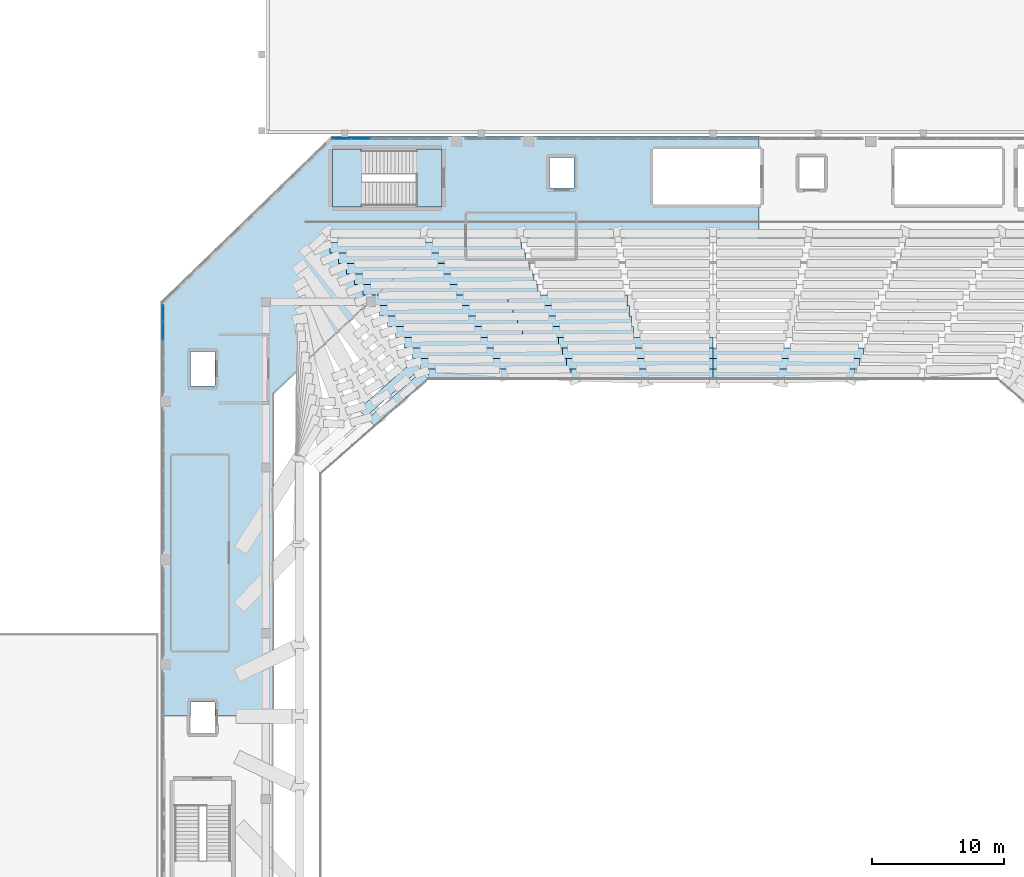
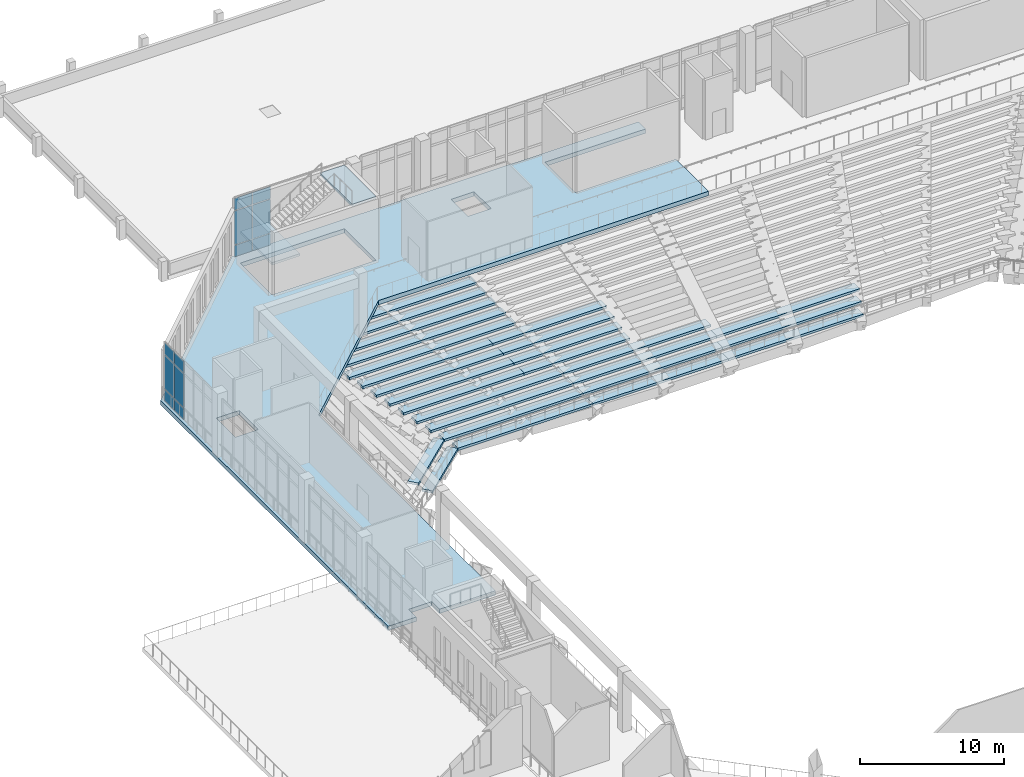
# One storey, part 37 of 55: 29 slabs, 12 plates, 3 elements without a shape of their own.
"""IFC4 building model written with IfcOpenShell, lengths in metres."""

from ifc_helpers import new_model, si_unit, derived_unit, direction, frame, origin, origin_2d, place, context, subcontext, project, spatial, polyline, rectangle, outline, extrude, material, layer, layer_set, type_object, element, aggregate, save


model = new_model("IFC4")

# Units and contexts
model_context = context("Model", 3, precision=1e-05, world=origin(), true_north=direction((0.0, 1.0)))
body_context = subcontext(model_context, "Body", "Model", "MODEL_VIEW")
ifc_project = project(units=[si_unit("LENGTHUNIT", "METRE"), si_unit("AREAUNIT", "SQUARE_METRE"), si_unit("VOLUMEUNIT", "CUBIC_METRE"), si_unit("PLANEANGLEUNIT", "RADIAN"), si_unit("MASSUNIT", "GRAM", prefix="KILO"), derived_unit("THERMALTRANSMITTANCEUNIT", [(si_unit("MASSUNIT", "GRAM", prefix="KILO"), 1), (si_unit("TIMEUNIT", "SECOND"), -3), (si_unit("THERMODYNAMICTEMPERATUREUNIT", "KELVIN"), -1)])], contexts=[model_context])

# Site, building, storey
site_placement = place(None, origin())
site = spatial("IfcSite", under=ifc_project, at=site_placement, CompositionType="ELEMENT")
building_placement = place(site_placement, origin())
building = spatial("IfcBuilding", under=site, at=building_placement, Name="Valcora Ridge Arena", CompositionType="ELEMENT")
storey_placement = place(building_placement, frame((0.0, 0.0, 21.0)))
storey = spatial("IfcBuildingStorey", under=building, at=storey_placement, Name="L04", CompositionType="ELEMENT", Elevation=21.0)

# Stair, slabs
ifc_material_1 = material(Name="Concrete C40/50", Category="concrete")
stair_type = type_object("IfcStairType", Name="TY-STAIR-ST03-54", PredefinedType="HALF_TURN_STAIR", material=ifc_material_1)
stair_placement = place(storey_placement, origin())
stair = element("IfcStair", 1, at=stair_placement, inside=storey, type_object=stair_type, Name="ST03-54 STR-CR-0017", PredefinedType="HALF_TURN_STAIR")
ifc_layer_1 = layer(ifc_material_1, 0.199951171875, Name="Concrete C40/50")
ifc_layer_set_1 = layer_set([ifc_layer_1], Name="Concrete C40/50")
slab_type_1 = type_object("IfcSlabType", Name="TY-LAND-ST03-54", PredefinedType="LANDING", material=ifc_layer_set_1)
slab_1_placement = place(storey_placement, frame((0.0, 0.0, 2.5)))
slab_1 = element("IfcSlab", 2, at=slab_1_placement, type_object=slab_type_1, Name="ST03-54 landing 1", PredefinedType="LANDING", context=body_context, shape_type="SweptSolid", body=[
    extrude(outline(polyline([(29.08203125, 102.802001953125), (31.31005859375, 102.802001953125), (31.31005859375, 107.197998046875), (29.08203125, 107.197998046875), (29.08203125, 102.802001953125)])), origin(), (0.0, 0.0, 1.0), 0.199951171875),
])
slab_2_placement = place(storey_placement, frame((0.0, 0.0, 5.199951171875)))
slab_2 = element("IfcSlab", 3, at=slab_2_placement, type_object=slab_type_1, Name="ST03-54 landing 2", PredefinedType="LANDING", context=body_context, shape_type="SweptSolid", body=[
    extrude(outline(polyline([(35.469970703125, 102.802001953125), (37.39794921875, 102.802001953125), (37.39794921875, 107.197998046875), (35.469970703125, 107.197998046875), (35.469970703125, 102.802001953125)])), origin(), (0.0, 0.0, 1.0), 0.199951171875),
])
aggregate(stair, [slab_1, slab_2])

# Curtain wall, plates
ifc_material_2 = material(Name="Anodised dark bronze architectural aluminium 6063-T6", Category="aluminium")
ifc_layer_2 = layer(ifc_material_2, 0.179931640625, Name="Anodised dark bronze architectural aluminium 6063-T6")
ifc_layer_set_2 = layer_set([ifc_layer_2], Name="Anodised dark bronze architectural aluminium 6063-T6")
curtain_wall_type_1 = type_object("IfcCurtainWallType", Name="TY-CURTAINWALL-CW-V1-GOTH-068X51", PredefinedType="NOTDEFINED", material=ifc_layer_set_2)
curtain_wall_1_placement = place(storey_placement, origin())
curtain_wall_1 = element("IfcCurtainWall", 4, at=curtain_wall_1_placement, inside=storey, type_object=curtain_wall_type_1, Name="CW-V1-GOTH-068X51 CW-0152", PredefinedType="NOTDEFINED")
ifc_material_3 = material(Name="Low-iron solar-control double glazing SHGC 0.28", Category="glass")
ifc_layer_3 = layer(ifc_material_3, 0.031982421875, Name="Low-iron solar-control double glazing SHGC 0.28")
ifc_layer_set_3 = layer_set([ifc_layer_3], Name="Low-iron solar-control double glazing SHGC 0.28")
plate_type_1 = type_object("IfcPlateType", Name="TY-PLT-CWP-1262X0960", PredefinedType="CURTAIN_PANEL", material=ifc_layer_set_3)
plate_1_placement = place(storey_placement, frame((16.199951171875, 94.708984375, 0.06005859375), z_axis=(0.0, 0.0, 1.0), x_axis=(0.0, 1.0, 0.0)))
plate_1 = element("IfcPlate", 5, at=plate_1_placement, type_object=plate_type_1, Name="CW-0152/P04-00", PredefinedType="CURTAIN_PANEL", context=body_context, shape_type="SweptSolid", body=[
    extrude(rectangle(XDim=1.261962890625, YDim=0.031982421875, at=origin_2d()), origin(), (0.0, 0.0, 1.0), 0.9599609375),
])
ifc_layer_4 = layer(ifc_material_3, 0.031982421875, Name="Low-iron solar-control double glazing SHGC 0.28")
ifc_layer_set_4 = layer_set([ifc_layer_4], Name="Low-iron solar-control double glazing SHGC 0.28")
plate_type_2 = type_object("IfcPlateType", Name="TY-PLT-CWP-1262X1010", PredefinedType="CURTAIN_PANEL", material=ifc_layer_set_4)
plate_2_placement = place(storey_placement, frame((16.199951171875, 94.708984375, 3.990234375), z_axis=(0.0, 0.0, 1.0), x_axis=(0.0, 1.0, 0.0)))
plate_2 = element("IfcPlate", 6, at=plate_2_placement, type_object=plate_type_2, Name="CW-0152/P04-02", PredefinedType="CURTAIN_PANEL", context=body_context, shape_type="SweptSolid", body=[
    extrude(rectangle(XDim=1.261962890625, YDim=0.031982421875, at=origin_2d()), origin(), (0.0, 0.0, 1.0), 1.010009765625),
])
ifc_layer_5 = layer(ifc_material_3, 0.031982421875, Name="Low-iron solar-control double glazing SHGC 0.28")
ifc_layer_set_5 = layer_set([ifc_layer_5], Name="Low-iron solar-control double glazing SHGC 0.28")
plate_type_3 = type_object("IfcPlateType", Name="TY-PLT-CWP-1262X2850", PredefinedType="CURTAIN_PANEL", material=ifc_layer_set_5)
plate_3_placement = place(storey_placement, frame((16.199951171875, 94.708984375, 1.079833984375), z_axis=(0.0, 0.0, 1.0), x_axis=(0.0, 1.0, 0.0)))
plate_3 = element("IfcPlate", 7, at=plate_3_placement, type_object=plate_type_3, Name="CW-0152/P04-01", PredefinedType="CURTAIN_PANEL", context=body_context, shape_type="SweptSolid", body=[
    extrude(rectangle(XDim=1.261962890625, YDim=0.031982421875, at=origin_2d()), origin(), (0.0, 0.0, 1.0), 2.85009765625),
])
ifc_layer_6 = layer(ifc_material_3, 0.031982421875, Name="Low-iron solar-control double glazing SHGC 0.28")
ifc_layer_set_6 = layer_set([ifc_layer_6], Name="Low-iron solar-control double glazing SHGC 0.28")
plate_type_4 = type_object("IfcPlateType", Name="TY-PLT-CWP-1292X0960", PredefinedType="CURTAIN_PANEL", material=ifc_layer_set_6)
plate_4_placement = place(storey_placement, frame((16.199951171875, 93.3720703125, 0.06005859375), z_axis=(0.0, 0.0, 1.0), x_axis=(0.0, 1.0, 0.0)))
plate_4 = element("IfcPlate", 8, at=plate_4_placement, type_object=plate_type_4, Name="CW-0152/P03-00", PredefinedType="CURTAIN_PANEL", context=body_context, shape_type="SweptSolid", body=[
    extrude(rectangle(XDim=1.2919921875, YDim=0.031982421875, at=origin_2d()), origin(), (0.0, 0.0, 1.0), 0.9599609375),
])
ifc_layer_7 = layer(ifc_material_3, 0.031982421875, Name="Low-iron solar-control double glazing SHGC 0.28")
ifc_layer_set_7 = layer_set([ifc_layer_7], Name="Low-iron solar-control double glazing SHGC 0.28")
plate_type_5 = type_object("IfcPlateType", Name="TY-PLT-CWP-1292X1010", PredefinedType="CURTAIN_PANEL", material=ifc_layer_set_7)
plate_5_placement = place(storey_placement, frame((16.199951171875, 93.3720703125, 3.990234375), z_axis=(0.0, 0.0, 1.0), x_axis=(0.0, 1.0, 0.0)))
plate_5 = element("IfcPlate", 9, at=plate_5_placement, type_object=plate_type_5, Name="CW-0152/P03-02", PredefinedType="CURTAIN_PANEL", context=body_context, shape_type="SweptSolid", body=[
    extrude(rectangle(XDim=1.2919921875, YDim=0.031982421875, at=origin_2d()), origin(), (0.0, 0.0, 1.0), 1.010009765625),
])
ifc_layer_8 = layer(ifc_material_3, 0.031982421875, Name="Low-iron solar-control double glazing SHGC 0.28")
ifc_layer_set_8 = layer_set([ifc_layer_8], Name="Low-iron solar-control double glazing SHGC 0.28")
plate_type_6 = type_object("IfcPlateType", Name="TY-PLT-CWP-1292X2850", PredefinedType="CURTAIN_PANEL", material=ifc_layer_set_8)
plate_6_placement = place(storey_placement, frame((16.199951171875, 93.3720703125, 1.079833984375), z_axis=(0.0, 0.0, 1.0), x_axis=(0.0, 1.0, 0.0)))
plate_6 = element("IfcPlate", 10, at=plate_6_placement, type_object=plate_type_6, Name="CW-0152/P03-01", PredefinedType="CURTAIN_PANEL", context=body_context, shape_type="SweptSolid", body=[
    extrude(rectangle(XDim=1.2919921875, YDim=0.031982421875, at=origin_2d()), origin(), (0.0, 0.0, 1.0), 2.85009765625),
])
aggregate(curtain_wall_1, [plate_4, plate_6, plate_5, plate_1, plate_3, plate_2])

ifc_layer_9 = layer(ifc_material_2, 0.179931640625, Name="Anodised dark bronze architectural aluminium 6063-T6")
ifc_layer_set_9 = layer_set([ifc_layer_9], Name="Anodised dark bronze architectural aluminium 6063-T6")
curtain_wall_type_2 = type_object("IfcCurtainWallType", Name="TY-CURTAINWALL-CW-V1-GOTH-089X51", PredefinedType="NOTDEFINED", material=ifc_layer_set_9)
curtain_wall_2_placement = place(storey_placement, origin())
curtain_wall_2 = element("IfcCurtainWall", 11, at=curtain_wall_2_placement, inside=storey, type_object=curtain_wall_type_2, Name="CW-V1-GOTH-089X51 CW-0157", PredefinedType="NOTDEFINED")
ifc_layer_10 = layer(ifc_material_3, 0.031982421875, Name="Low-iron solar-control double glazing SHGC 0.28")
ifc_layer_set_10 = layer_set([ifc_layer_10], Name="Low-iron solar-control double glazing SHGC 0.28")
plate_type_7 = type_object("IfcPlateType", Name="TY-PLT-CWP-1387X0960", PredefinedType="CURTAIN_PANEL", material=ifc_layer_set_10)
plate_7_placement = place(storey_placement, frame((29.75341796875, 108.0, 0.06005859375), z_axis=(0.0, 0.0, 1.0), x_axis=(1.0, 0.0, 0.0)))
plate_7 = element("IfcPlate", 12, at=plate_7_placement, type_object=plate_type_7, Name="CW-0157/P00-00", PredefinedType="CURTAIN_PANEL", context=body_context, shape_type="SweptSolid", body=[
    extrude(rectangle(XDim=1.386962890625, YDim=0.031982421875, at=origin_2d()), origin(), (0.0, 0.0, 1.0), 0.9599609375),
])
ifc_layer_11 = layer(ifc_material_3, 0.031982421875, Name="Low-iron solar-control double glazing SHGC 0.28")
ifc_layer_set_11 = layer_set([ifc_layer_11], Name="Low-iron solar-control double glazing SHGC 0.28")
plate_type_8 = type_object("IfcPlateType", Name="TY-PLT-CWP-1387X1010", PredefinedType="CURTAIN_PANEL", material=ifc_layer_set_11)
plate_8_placement = place(storey_placement, frame((29.75341796875, 108.0, 3.990234375), z_axis=(0.0, 0.0, 1.0), x_axis=(1.0, 0.0, 0.0)))
plate_8 = element("IfcPlate", 13, at=plate_8_placement, type_object=plate_type_8, Name="CW-0157/P00-02", PredefinedType="CURTAIN_PANEL", context=body_context, shape_type="SweptSolid", body=[
    extrude(rectangle(XDim=1.386962890625, YDim=0.031982421875, at=origin_2d()), origin(), (0.0, 0.0, 1.0), 1.010009765625),
])
ifc_layer_12 = layer(ifc_material_3, 0.031982421875, Name="Low-iron solar-control double glazing SHGC 0.28")
ifc_layer_set_12 = layer_set([ifc_layer_12], Name="Low-iron solar-control double glazing SHGC 0.28")
plate_type_9 = type_object("IfcPlateType", Name="TY-PLT-CWP-1387X2850", PredefinedType="CURTAIN_PANEL", material=ifc_layer_set_12)
plate_9_placement = place(storey_placement, frame((29.75341796875, 108.0, 1.079833984375), z_axis=(0.0, 0.0, 1.0), x_axis=(1.0, 0.0, 0.0)))
plate_9 = element("IfcPlate", 14, at=plate_9_placement, type_object=plate_type_9, Name="CW-0157/P00-01", PredefinedType="CURTAIN_PANEL", context=body_context, shape_type="SweptSolid", body=[
    extrude(rectangle(XDim=1.386962890625, YDim=0.031982421875, at=origin_2d()), origin(), (0.0, 0.0, 1.0), 2.85009765625),
])
ifc_layer_13 = layer(ifc_material_3, 0.031982421875, Name="Low-iron solar-control double glazing SHGC 0.28")
ifc_layer_set_13 = layer_set([ifc_layer_13], Name="Low-iron solar-control double glazing SHGC 0.28")
plate_type_10 = type_object("IfcPlateType", Name="TY-PLT-CWP-1416X0960", PredefinedType="CURTAIN_PANEL", material=ifc_layer_set_13)
plate_10_placement = place(storey_placement, frame((31.215087890625, 108.0, 0.06005859375), z_axis=(0.0, 0.0, 1.0), x_axis=(1.0, 0.0, 0.0)))
plate_10 = element("IfcPlate", 15, at=plate_10_placement, type_object=plate_type_10, Name="CW-0157/P01-00", PredefinedType="CURTAIN_PANEL", context=body_context, shape_type="SweptSolid", body=[
    extrude(rectangle(XDim=1.416015625, YDim=0.031982421875, at=origin_2d()), origin(), (0.0, 0.0, 1.0), 0.9599609375),
])
ifc_layer_14 = layer(ifc_material_3, 0.031982421875, Name="Low-iron solar-control double glazing SHGC 0.28")
ifc_layer_set_14 = layer_set([ifc_layer_14], Name="Low-iron solar-control double glazing SHGC 0.28")
plate_type_11 = type_object("IfcPlateType", Name="TY-PLT-CWP-1416X1010", PredefinedType="CURTAIN_PANEL", material=ifc_layer_set_14)
plate_11_placement = place(storey_placement, frame((31.215087890625, 108.0, 3.990234375), z_axis=(0.0, 0.0, 1.0), x_axis=(1.0, 0.0, 0.0)))
plate_11 = element("IfcPlate", 16, at=plate_11_placement, type_object=plate_type_11, Name="CW-0157/P01-02", PredefinedType="CURTAIN_PANEL", context=body_context, shape_type="SweptSolid", body=[
    extrude(rectangle(XDim=1.416015625, YDim=0.031982421875, at=origin_2d()), origin(), (0.0, 0.0, 1.0), 1.010009765625),
])
ifc_layer_15 = layer(ifc_material_3, 0.031982421875, Name="Low-iron solar-control double glazing SHGC 0.28")
ifc_layer_set_15 = layer_set([ifc_layer_15], Name="Low-iron solar-control double glazing SHGC 0.28")
plate_type_12 = type_object("IfcPlateType", Name="TY-PLT-CWP-1416X2850", PredefinedType="CURTAIN_PANEL", material=ifc_layer_set_15)
plate_12_placement = place(storey_placement, frame((31.215087890625, 108.0, 1.079833984375), z_axis=(0.0, 0.0, 1.0), x_axis=(1.0, 0.0, 0.0)))
plate_12 = element("IfcPlate", 17, at=plate_12_placement, type_object=plate_type_12, Name="CW-0157/P01-01", PredefinedType="CURTAIN_PANEL", context=body_context, shape_type="SweptSolid", body=[
    extrude(rectangle(XDim=1.416015625, YDim=0.031982421875, at=origin_2d()), origin(), (0.0, 0.0, 1.0), 2.85009765625),
])
aggregate(curtain_wall_2, [plate_7, plate_9, plate_8, plate_10, plate_12, plate_11])

# Slabs
ifc_layer_16 = layer(ifc_material_1, 0.360107421875, Name="Concrete C40/50")
ifc_layer_set_16 = layer_set([ifc_layer_16], Name="Concrete C40/50")
slab_type_2 = type_object("IfcSlabType", Name="TY-SLAB-SL-UPPR-360-NW", PredefinedType="FLOOR", material=ifc_layer_set_16)
slab_3_placement = place(storey_placement, frame((0.0, 0.0, -0.360107421875)))
element("IfcSlab", 18, at=slab_3_placement, inside=storey, type_object=slab_type_2, Name="SL-UPPR-360-NW SLB-0047", PredefinedType="FLOOR", context=body_context, shape_type="SweptSolid", body=[
    extrude(outline(polyline([(16.0, 95.60009765625), (16.0, 64.10009765625), (18.280029296875, 64.10009765625), (18.280029296875, 65.169921875), (20.1201171875, 65.169921875), (20.1201171875, 64.10009765625), (24.60009765625, 64.10009765625), (24.60009765625, 88.60009765625), (35.10009765625, 98.5), (61.5, 98.5), (61.5, 103.0), (53.43994140625, 103.0), (53.43994140625, 107.199951171875), (61.5, 107.199951171875), (61.5, 108.199951171875), (29.0, 108.199951171875), (16.0, 95.60009765625)]), holes=[polyline([(37.39990234375, 102.800048828125), (37.39990234375, 107.199951171875), (29.080078125, 107.199951171875), (29.080078125, 102.800048828125), (37.39990234375, 102.800048828125)]), polyline([(18.280029296875, 91.820068359375), (18.280029296875, 89.179931640625), (20.1201171875, 89.179931640625), (20.1201171875, 91.820068359375), (18.280029296875, 91.820068359375)]), polyline([(45.580078125, 106.570068359375), (45.580078125, 104.22998046875), (47.419921875, 104.22998046875), (47.419921875, 106.570068359375), (45.580078125, 106.570068359375)])]), origin(), (0.0, 0.0, 1.0), 0.360107421875),
])
ifc_material_4 = material(Name="Precast concrete C45/55", Category="concrete")
ifc_layer_17 = layer(ifc_material_4, 0.199951171875, Name="Precast concrete C45/55")
ifc_layer_set_17 = layer_set([ifc_layer_17], Name="Precast concrete C45/55")
slab_type_3 = type_object("IfcSlabType", Name="TY-SLAB-ST-UPP-L054", PredefinedType="USERDEFINED", material=ifc_layer_set_17)
slab_4_placement = place(storey_placement, frame((0.0, 0.0, -7.800048828125)))
element("IfcSlab", 19, at=slab_4_placement, inside=storey, type_object=slab_type_3, Name="ST-UPP-L054 SLB-TR-0489", ObjectType="SEATING TIER", PredefinedType="USERDEFINED", context=body_context, shape_type="SweptSolid", body=[
    extrude(outline(polyline([(36.3759765625, 89.699951171875), (32.2880859375, 86.112060546875), (31.76025390625, 86.71337890625), (35.848388671875, 90.30126953125), (36.3759765625, 89.699951171875)])), origin(), (0.0, 0.0, 1.0), 0.199951171875),
])
ifc_layer_18 = layer(ifc_material_4, 0.199951171875, Name="Precast concrete C45/55")
ifc_layer_set_18 = layer_set([ifc_layer_18], Name="Precast concrete C45/55")
slab_type_4 = type_object("IfcSlabType", Name="TY-SLAB-ST-UPP-L056", PredefinedType="USERDEFINED", material=ifc_layer_set_18)
slab_5_placement = place(storey_placement, frame((0.0, 0.0, -7.320068359375)))
element("IfcSlab", 20, at=slab_5_placement, inside=storey, type_object=slab_type_4, Name="ST-UPP-L056 SLB-TR-0501", ObjectType="SEATING TIER", PredefinedType="USERDEFINED", context=body_context, shape_type="SweptSolid", body=[
    extrude(outline(polyline([(35.751953125, 90.5), (31.575927734375, 86.823974609375), (31.04736328125, 87.424560546875), (35.223388671875, 91.1005859375), (35.751953125, 90.5)])), origin(), (0.0, 0.0, 1.0), 0.199951171875),
])
ifc_layer_19 = layer(ifc_material_4, 0.199951171875, Name="Precast concrete C45/55")
ifc_layer_set_19 = layer_set([ifc_layer_19], Name="Precast concrete C45/55")
slab_type_5 = type_object("IfcSlabType", Name="TY-SLAB-ST-UPP-L084", PredefinedType="USERDEFINED", material=ifc_layer_set_19)
slab_6_placement = place(storey_placement, frame((0.0, 0.0, -5.8798828125)))
element("IfcSlab", 21, at=slab_6_placement, inside=storey, type_object=slab_type_5, Name="ST-UPP-L084 SLB-TR-0527", ObjectType="SEATING TIER", PredefinedType="USERDEFINED", context=body_context, shape_type="SweptSolid", body=[
    extrude(outline(polyline([(51.969970703125, 92.89990234375), (43.528076171875, 92.89990234375), (43.528076171875, 93.699951171875), (51.969970703125, 93.699951171875), (51.969970703125, 92.89990234375)])), origin(), (0.0, 0.0, 1.0), 0.199951171875),
])
ifc_layer_20 = layer(ifc_material_4, 0.199951171875, Name="Precast concrete C45/55")
ifc_layer_set_20 = layer_set([ifc_layer_20], Name="Precast concrete C45/55")
slab_type_6 = type_object("IfcSlabType", Name="TY-SLAB-ST-UPP-L087", PredefinedType="USERDEFINED", material=ifc_layer_set_20)
slab_7_placement = place(storey_placement, frame((0.0, 0.0, -5.39990234375)))
element("IfcSlab", 22, at=slab_7_placement, inside=storey, type_object=slab_type_6, Name="ST-UPP-L087 SLB-TR-0535", ObjectType="SEATING TIER", PredefinedType="USERDEFINED", context=body_context, shape_type="SweptSolid", body=[
    extrude(outline(polyline([(51.81396484375, 93.699951171875), (43.153564453125, 93.699951171875), (43.153564453125, 94.5), (51.81396484375, 94.5), (51.81396484375, 93.699951171875)])), origin(), (0.0, 0.0, 1.0), 0.199951171875),
])
ifc_layer_21 = layer(ifc_material_4, 0.199951171875, Name="Precast concrete C45/55")
ifc_layer_set_21 = layer_set([ifc_layer_21], Name="Precast concrete C45/55")
slab_type_7 = type_object("IfcSlabType", Name="TY-SLAB-ST-UPP-L089", PredefinedType="USERDEFINED", material=ifc_layer_set_21)
slab_8_placement = place(storey_placement, frame((0.0, 0.0, -4.919921875)))
element("IfcSlab", 23, at=slab_8_placement, inside=storey, type_object=slab_type_7, Name="ST-UPP-L089 SLB-TR-0543", ObjectType="SEATING TIER", PredefinedType="USERDEFINED", context=body_context, shape_type="SweptSolid", body=[
    extrude(outline(polyline([(51.657958984375, 94.5), (42.779296875, 94.5), (42.779296875, 95.300048828125), (51.657958984375, 95.300048828125), (51.657958984375, 94.5)])), origin(), (0.0, 0.0, 1.0), 0.199951171875),
])
ifc_layer_22 = layer(ifc_material_4, 0.199951171875, Name="Precast concrete C45/55")
ifc_layer_set_22 = layer_set([ifc_layer_22], Name="Precast concrete C45/55")
slab_type_8 = type_object("IfcSlabType", Name="TY-SLAB-ST-UPP-L091", PredefinedType="USERDEFINED", material=ifc_layer_set_22)
slab_9_placement = place(storey_placement, frame((0.0, 0.0, -4.43994140625)))
element("IfcSlab", 24, at=slab_9_placement, inside=storey, type_object=slab_type_8, Name="ST-UPP-L091 SLB-TR-0551", ObjectType="SEATING TIER", PredefinedType="USERDEFINED", context=body_context, shape_type="SweptSolid", body=[
    extrude(outline(polyline([(51.501953125, 95.300048828125), (42.40478515625, 95.300048828125), (42.40478515625, 96.10009765625), (51.501953125, 96.10009765625), (51.501953125, 95.300048828125)])), origin(), (0.0, 0.0, 1.0), 0.199951171875),
])
ifc_layer_23 = layer(ifc_material_4, 0.199951171875, Name="Precast concrete C45/55")
ifc_layer_set_23 = layer_set([ifc_layer_23], Name="Precast concrete C45/55")
slab_type_9 = type_object("IfcSlabType", Name="TY-SLAB-ST-UPP-L096", PredefinedType="USERDEFINED", material=ifc_layer_set_23)
slab_10_placement = place(storey_placement, frame((0.0, 0.0, -5.8798828125)))
element("IfcSlab", 25, at=slab_10_placement, inside=storey, type_object=slab_type_9, Name="ST-UPP-L096 SLB-TR-0528", ObjectType="SEATING TIER", PredefinedType="USERDEFINED", context=body_context, shape_type="SweptSolid", body=[
    extrude(outline(polyline([(43.528076171875, 92.89990234375), (33.8798828125, 92.89990234375), (33.8798828125, 93.699951171875), (43.528076171875, 93.699951171875), (43.528076171875, 92.89990234375)])), origin(), (0.0, 0.0, 1.0), 0.199951171875),
])
ifc_layer_24 = layer(ifc_material_4, 0.199951171875, Name="Precast concrete C45/55")
ifc_layer_set_24 = layer_set([ifc_layer_24], Name="Precast concrete C45/55")
slab_type_10 = type_object("IfcSlabType", Name="TY-SLAB-ST-UPP-L099", PredefinedType="USERDEFINED", material=ifc_layer_set_24)
slab_11_placement = place(storey_placement, frame((0.0, 0.0, -5.39990234375)))
element("IfcSlab", 26, at=slab_11_placement, inside=storey, type_object=slab_type_10, Name="ST-UPP-L099 SLB-TR-0536", ObjectType="SEATING TIER", PredefinedType="USERDEFINED", context=body_context, shape_type="SweptSolid", body=[
    extrude(outline(polyline([(43.153564453125, 93.699951171875), (33.256103515625, 93.699951171875), (33.256103515625, 94.5), (43.153564453125, 94.5), (43.153564453125, 93.699951171875)])), origin(), (0.0, 0.0, 1.0), 0.199951171875),
])
ifc_layer_25 = layer(ifc_material_4, 0.199951171875, Name="Precast concrete C45/55")
ifc_layer_set_25 = layer_set([ifc_layer_25], Name="Precast concrete C45/55")
slab_type_11 = type_object("IfcSlabType", Name="TY-SLAB-ST-UPP-L101", PredefinedType="USERDEFINED", material=ifc_layer_set_25)
slab_12_placement = place(storey_placement, frame((0.0, 0.0, -4.919921875)))
element("IfcSlab", 27, at=slab_12_placement, inside=storey, type_object=slab_type_11, Name="ST-UPP-L101 SLB-TR-0544", ObjectType="SEATING TIER", PredefinedType="USERDEFINED", context=body_context, shape_type="SweptSolid", body=[
    extrude(outline(polyline([(42.779296875, 94.5), (32.632080078125, 94.5), (32.632080078125, 95.300048828125), (42.779296875, 95.300048828125), (42.779296875, 94.5)])), origin(), (0.0, 0.0, 1.0), 0.199951171875),
])
ifc_layer_26 = layer(ifc_material_4, 0.199951171875, Name="Precast concrete C45/55")
ifc_layer_set_26 = layer_set([ifc_layer_26], Name="Precast concrete C45/55")
slab_type_12 = type_object("IfcSlabType", Name="TY-SLAB-ST-UPP-L104", PredefinedType="USERDEFINED", material=ifc_layer_set_26)
slab_13_placement = place(storey_placement, frame((0.0, 0.0, -4.43994140625)))
element("IfcSlab", 28, at=slab_13_placement, inside=storey, type_object=slab_type_12, Name="ST-UPP-L104 SLB-TR-0552", ObjectType="SEATING TIER", PredefinedType="USERDEFINED", context=body_context, shape_type="SweptSolid", body=[
    extrude(outline(polyline([(42.40478515625, 95.300048828125), (32.008056640625, 95.300048828125), (32.008056640625, 96.10009765625), (42.40478515625, 96.10009765625), (42.40478515625, 95.300048828125)])), origin(), (0.0, 0.0, 1.0), 0.199951171875),
])
ifc_layer_27 = layer(ifc_material_4, 0.199951171875, Name="Precast concrete C45/55")
ifc_layer_set_27 = layer_set([ifc_layer_27], Name="Precast concrete C45/55")
slab_type_13 = type_object("IfcSlabType", Name="TY-SLAB-ST-UPP-L108", PredefinedType="USERDEFINED", material=ifc_layer_set_27)
slab_14_placement = place(storey_placement, frame((0.0, 0.0, -7.800048828125)))
element("IfcSlab", 29, at=slab_14_placement, inside=storey, type_object=slab_type_13, Name="ST-UPP-L108 SLB-TR-0486", ObjectType="SEATING TIER", PredefinedType="USERDEFINED", context=body_context, shape_type="SweptSolid", body=[
    extrude(outline(polyline([(68.81201171875, 89.699951171875), (58.0, 89.699951171875), (58.0, 90.5), (68.81201171875, 90.5), (68.81201171875, 89.699951171875)])), origin(), (0.0, 0.0, 1.0), 0.199951171875),
])
slab_15_placement = place(storey_placement, frame((0.0, 0.0, -7.800048828125)))
element("IfcSlab", 30, at=slab_15_placement, inside=storey, type_object=slab_type_13, Name="ST-UPP-L108 SLB-TR-0487", ObjectType="SEATING TIER", PredefinedType="USERDEFINED", context=body_context, shape_type="SweptSolid", body=[
    extrude(outline(polyline([(58.0, 89.699951171875), (47.18798828125, 89.699951171875), (47.18798828125, 90.5), (58.0, 90.5), (58.0, 89.699951171875)])), origin(), (0.0, 0.0, 1.0), 0.199951171875),
])
slab_16_placement = place(storey_placement, frame((0.0, 0.0, -7.800048828125)))
element("IfcSlab", 31, at=slab_16_placement, inside=storey, type_object=slab_type_13, Name="ST-UPP-L108 SLB-TR-0488", ObjectType="SEATING TIER", PredefinedType="USERDEFINED", context=body_context, shape_type="SweptSolid", body=[
    extrude(outline(polyline([(47.18798828125, 89.699951171875), (36.3759765625, 89.699951171875), (36.3759765625, 90.5), (47.18798828125, 90.5), (47.18798828125, 89.699951171875)])), origin(), (0.0, 0.0, 1.0), 0.199951171875),
])
ifc_layer_28 = layer(ifc_material_4, 0.199951171875, Name="Precast concrete C45/55")
ifc_layer_set_28 = layer_set([ifc_layer_28], Name="Precast concrete C45/55")
slab_type_14 = type_object("IfcSlabType", Name="TY-SLAB-ST-UPP-L111", PredefinedType="USERDEFINED", material=ifc_layer_set_28)
slab_17_placement = place(storey_placement, frame((0.0, 0.0, -7.320068359375)))
element("IfcSlab", 32, at=slab_17_placement, inside=storey, type_object=slab_type_14, Name="ST-UPP-L111 SLB-TR-0498", ObjectType="SEATING TIER", PredefinedType="USERDEFINED", context=body_context, shape_type="SweptSolid", body=[
    extrude(outline(polyline([(69.1240234375, 90.5), (58.0, 90.5), (58.0, 91.300048828125), (69.1240234375, 91.300048828125), (69.1240234375, 90.5)])), origin(), (0.0, 0.0, 1.0), 0.199951171875),
])
slab_18_placement = place(storey_placement, frame((0.0, 0.0, -7.320068359375)))
element("IfcSlab", 33, at=slab_18_placement, inside=storey, type_object=slab_type_14, Name="ST-UPP-L111 SLB-TR-0499", ObjectType="SEATING TIER", PredefinedType="USERDEFINED", context=body_context, shape_type="SweptSolid", body=[
    extrude(outline(polyline([(58.0, 90.5), (46.8759765625, 90.5), (46.8759765625, 91.300048828125), (58.0, 91.300048828125), (58.0, 90.5)])), origin(), (0.0, 0.0, 1.0), 0.199951171875),
])
slab_19_placement = place(storey_placement, frame((0.0, 0.0, -7.320068359375)))
element("IfcSlab", 34, at=slab_19_placement, inside=storey, type_object=slab_type_14, Name="ST-UPP-L111 SLB-TR-0500", ObjectType="SEATING TIER", PredefinedType="USERDEFINED", context=body_context, shape_type="SweptSolid", body=[
    extrude(outline(polyline([(46.8759765625, 90.5), (35.751953125, 90.5), (35.751953125, 91.300048828125), (46.8759765625, 91.300048828125), (46.8759765625, 90.5)])), origin(), (0.0, 0.0, 1.0), 0.199951171875),
])
ifc_layer_29 = layer(ifc_material_4, 0.199951171875, Name="Precast concrete C45/55")
ifc_layer_set_29 = layer_set([ifc_layer_29], Name="Precast concrete C45/55")
slab_type_15 = type_object("IfcSlabType", Name="TY-SLAB-ST-UPP-L114", PredefinedType="USERDEFINED", material=ifc_layer_set_29)
slab_20_placement = place(storey_placement, frame((0.0, 0.0, -6.840087890625)))
element("IfcSlab", 35, at=slab_20_placement, inside=storey, type_object=slab_type_15, Name="ST-UPP-L114 SLB-TR-0510", ObjectType="SEATING TIER", PredefinedType="USERDEFINED", context=body_context, shape_type="SweptSolid", body=[
    extrude(outline(polyline([(69.43603515625, 91.300048828125), (58.0, 91.300048828125), (58.0, 92.10009765625), (69.43603515625, 92.10009765625), (69.43603515625, 91.300048828125)])), origin(), (0.0, 0.0, 1.0), 0.2001953125),
])
slab_21_placement = place(storey_placement, frame((0.0, 0.0, -6.840087890625)))
element("IfcSlab", 36, at=slab_21_placement, inside=storey, type_object=slab_type_15, Name="ST-UPP-L114 SLB-TR-0511", ObjectType="SEATING TIER", PredefinedType="USERDEFINED", context=body_context, shape_type="SweptSolid", body=[
    extrude(outline(polyline([(58.0, 91.300048828125), (46.56396484375, 91.300048828125), (46.56396484375, 92.10009765625), (58.0, 92.10009765625), (58.0, 91.300048828125)])), origin(), (0.0, 0.0, 1.0), 0.2001953125),
])
slab_22_placement = place(storey_placement, frame((0.0, 0.0, -6.840087890625)))
element("IfcSlab", 37, at=slab_22_placement, inside=storey, type_object=slab_type_15, Name="ST-UPP-L114 SLB-TR-0512", ObjectType="SEATING TIER", PredefinedType="USERDEFINED", context=body_context, shape_type="SweptSolid", body=[
    extrude(outline(polyline([(46.56396484375, 91.300048828125), (35.1279296875, 91.300048828125), (35.1279296875, 92.10009765625), (46.56396484375, 92.10009765625), (46.56396484375, 91.300048828125)])), origin(), (0.0, 0.0, 1.0), 0.2001953125),
])
ifc_layer_30 = layer(ifc_material_4, 0.199951171875, Name="Precast concrete C45/55")
ifc_layer_set_30 = layer_set([ifc_layer_30], Name="Precast concrete C45/55")
slab_type_16 = type_object("IfcSlabType", Name="TY-SLAB-ST-UPP-L117", PredefinedType="USERDEFINED", material=ifc_layer_set_30)
slab_23_placement = place(storey_placement, frame((0.0, 0.0, -6.360107421875)))
element("IfcSlab", 38, at=slab_23_placement, inside=storey, type_object=slab_type_16, Name="ST-UPP-L117 SLB-TR-0519", ObjectType="SEATING TIER", PredefinedType="USERDEFINED", context=body_context, shape_type="SweptSolid", body=[
    extrude(outline(polyline([(58.0, 92.10009765625), (46.251953125, 92.10009765625), (46.251953125, 92.89990234375), (58.0, 92.89990234375), (58.0, 92.10009765625)])), origin(), (0.0, 0.0, 1.0), 0.2001953125),
])
slab_24_placement = place(storey_placement, frame((0.0, 0.0, -6.360107421875)))
element("IfcSlab", 39, at=slab_24_placement, inside=storey, type_object=slab_type_16, Name="ST-UPP-L117 SLB-TR-0520", ObjectType="SEATING TIER", PredefinedType="USERDEFINED", context=body_context, shape_type="SweptSolid", body=[
    extrude(outline(polyline([(46.251953125, 92.10009765625), (34.50390625, 92.10009765625), (34.50390625, 92.89990234375), (46.251953125, 92.89990234375), (46.251953125, 92.10009765625)])), origin(), (0.0, 0.0, 1.0), 0.2001953125),
])
ifc_layer_31 = layer(ifc_material_4, 0.199951171875, Name="Precast concrete C45/55")
ifc_layer_set_31 = layer_set([ifc_layer_31], Name="Precast concrete C45/55")
slab_type_17 = type_object("IfcSlabType", Name="TY-SLAB-ST-UPP-L133", PredefinedType="USERDEFINED", material=ifc_layer_set_31)
slab_25_placement = place(storey_placement, frame((0.0, 0.0, -3.9599609375)))
element("IfcSlab", 40, at=slab_25_placement, inside=storey, type_object=slab_type_17, Name="ST-UPP-L133 SLB-TR-0560", ObjectType="SEATING TIER", PredefinedType="USERDEFINED", context=body_context, shape_type="SweptSolid", body=[
    extrude(outline(polyline([(44.69189453125, 96.10009765625), (31.384033203125, 96.10009765625), (31.384033203125, 96.89990234375), (44.69189453125, 96.89990234375), (44.69189453125, 96.10009765625)])), origin(), (0.0, 0.0, 1.0), 0.199951171875),
])
ifc_layer_32 = layer(ifc_material_4, 0.199951171875, Name="Precast concrete C45/55")
ifc_layer_set_32 = layer_set([ifc_layer_32], Name="Precast concrete C45/55")
slab_type_18 = type_object("IfcSlabType", Name="TY-SLAB-ST-UPP-L136", PredefinedType="USERDEFINED", material=ifc_layer_set_32)
slab_26_placement = place(storey_placement, frame((0.0, 0.0, -3.47998046875)))
element("IfcSlab", 41, at=slab_26_placement, inside=storey, type_object=slab_type_18, Name="ST-UPP-L136 SLB-TR-0568", ObjectType="SEATING TIER", PredefinedType="USERDEFINED", context=body_context, shape_type="SweptSolid", body=[
    extrude(outline(polyline([(44.3798828125, 96.89990234375), (30.760009765625, 96.89990234375), (30.760009765625, 97.699951171875), (44.3798828125, 97.699951171875), (44.3798828125, 96.89990234375)])), origin(), (0.0, 0.0, 1.0), 0.199951171875),
])
ifc_layer_33 = layer(ifc_material_4, 0.199951171875, Name="Precast concrete C45/55")
ifc_layer_set_33 = layer_set([ifc_layer_33], Name="Precast concrete C45/55")
slab_type_19 = type_object("IfcSlabType", Name="TY-SLAB-ST-UPP-L139", PredefinedType="USERDEFINED", material=ifc_layer_set_33)
slab_27_placement = place(storey_placement, frame((0.0, 0.0, -3.0)))
element("IfcSlab", 42, at=slab_27_placement, inside=storey, type_object=slab_type_19, Name="ST-UPP-L139 SLB-TR-0576", ObjectType="SEATING TIER", PredefinedType="USERDEFINED", context=body_context, shape_type="SweptSolid", body=[
    extrude(outline(polyline([(44.068115234375, 97.699951171875), (30.135986328125, 97.699951171875), (30.135986328125, 98.5), (44.068115234375, 98.5), (44.068115234375, 97.699951171875)])), origin(), (0.0, 0.0, 1.0), 0.199951171875),
])
ifc_layer_34 = layer(ifc_material_4, 0.199951171875, Name="Precast concrete C45/55")
ifc_layer_set_34 = layer_set([ifc_layer_34], Name="Precast concrete C45/55")
slab_type_20 = type_object("IfcSlabType", Name="TY-SLAB-ST-UPP-L142", PredefinedType="USERDEFINED", material=ifc_layer_set_34)
slab_28_placement = place(storey_placement, frame((0.0, 0.0, -2.52001953125)))
element("IfcSlab", 43, at=slab_28_placement, inside=storey, type_object=slab_type_20, Name="ST-UPP-L142 SLB-TR-0584", ObjectType="SEATING TIER", PredefinedType="USERDEFINED", context=body_context, shape_type="SweptSolid", body=[
    extrude(outline(polyline([(43.756103515625, 98.5), (29.511962890625, 98.5), (29.511962890625, 99.300048828125), (43.756103515625, 99.300048828125), (43.756103515625, 98.5)])), origin(), (0.0, 0.0, 1.0), 0.199951171875),
])
ifc_layer_35 = layer(ifc_material_4, 0.199951171875, Name="Precast concrete C45/55")
ifc_layer_set_35 = layer_set([ifc_layer_35], Name="Precast concrete C45/55")
slab_type_21 = type_object("IfcSlabType", Name="TY-SLAB-ST-UPP-L146", PredefinedType="USERDEFINED", material=ifc_layer_set_35)
slab_29_placement = place(storey_placement, frame((0.0, 0.0, -2.0400390625)))
element("IfcSlab", 44, at=slab_29_placement, inside=storey, type_object=slab_type_21, Name="ST-UPP-L146 SLB-TR-0592", ObjectType="SEATING TIER", PredefinedType="USERDEFINED", context=body_context, shape_type="SweptSolid", body=[
    extrude(outline(polyline([(43.444091796875, 99.300048828125), (28.887939453125, 99.300048828125), (28.887939453125, 100.10009765625), (43.444091796875, 100.10009765625), (43.444091796875, 99.300048828125)])), origin(), (0.0, 0.0, 1.0), 0.199951171875),
])

save(model, "model.ifc")
